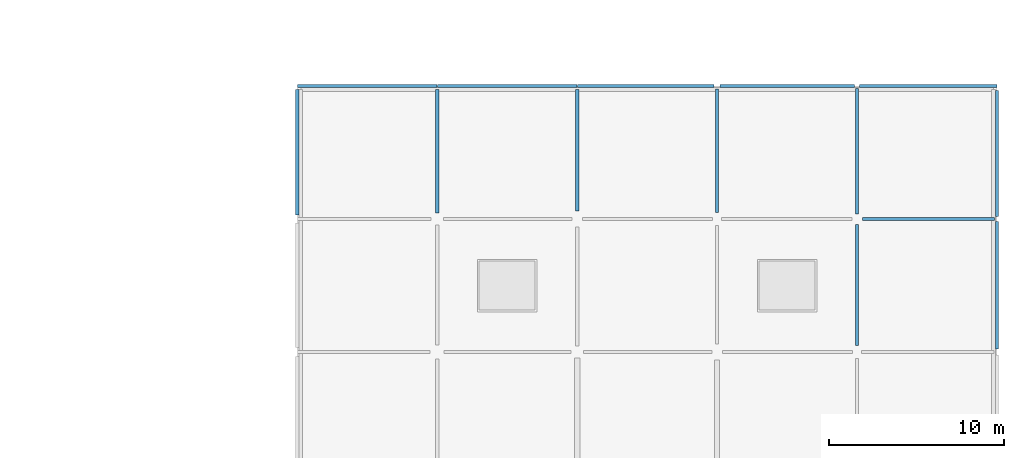
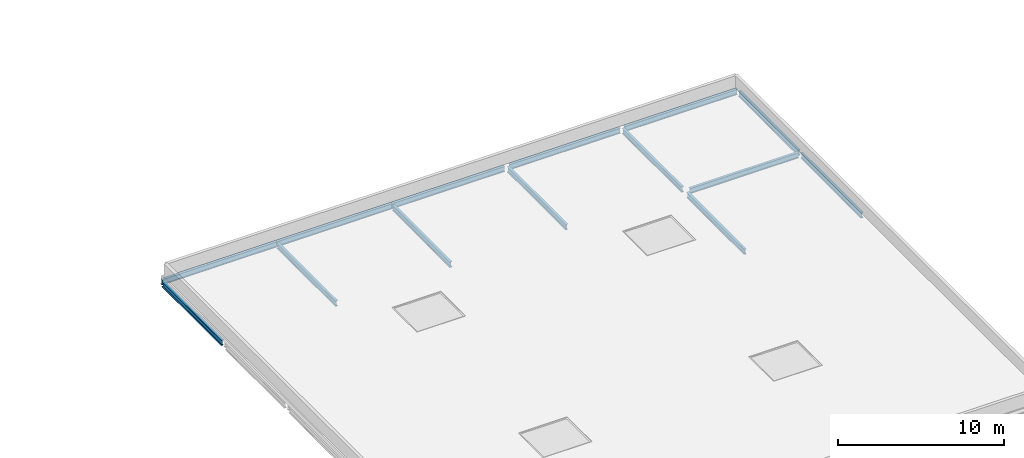
# One storey, part 14 of 46: 14 beams.
"""IFC4 building model written with IfcOpenShell, lengths in metres."""

from ifc_helpers import new_model, si_unit, direction, frame, origin, origin_2d, place, context, subcontext, project, spatial, i_section, extrude, material, material_profile, profile_set, type_object, element, save


model = new_model("IFC4")

# Units and contexts
model_context = context("Model", 3, precision=1e-05, world=origin(), true_north=direction((0.0, 1.0)))
body_context = subcontext(model_context, "Body", "Model", "MODEL_VIEW")
ifc_project = project(units=[si_unit("LENGTHUNIT", "METRE"), si_unit("AREAUNIT", "SQUARE_METRE"), si_unit("VOLUMEUNIT", "CUBIC_METRE"), si_unit("PLANEANGLEUNIT", "RADIAN"), si_unit("MASSUNIT", "GRAM", prefix="KILO")], contexts=[model_context])

# Site, building, storey
site_placement = place(None, origin())
site = spatial("IfcSite", under=ifc_project, at=site_placement, CompositionType="ELEMENT")
building_placement = place(site_placement, origin())
building = spatial("IfcBuilding", under=site, at=building_placement, Name="Khelvaren Railside Concert Hall", CompositionType="ELEMENT")
storey_placement = place(building_placement, frame((0.0, 0.0, 19.800048828125)))
storey = spatial("IfcBuildingStorey", under=building, at=storey_placement, Name="L04", CompositionType="ELEMENT", Elevation=19.800048828125)

# Beams
ifc_material = material(Name="Steel S355", Category="steel")
ifc_material_profile = material_profile(ifc_material, i_section(OverallWidth=0.179931640625, OverallDepth=0.39990234375, WebThickness=0.008544921875, FlangeThickness=0.013427734375, FilletRadius=0.02099609375, at=origin_2d()), Name="IPE 400")
ifc_profile_set = profile_set([ifc_material_profile], Name="Steel S355")
beam_type = type_object("IfcBeamType", Name="BM29", PredefinedType="BEAM", material=ifc_profile_set)
beam_1_placement = place(storey_placement, frame((176.300048828125, 30.39990234375, -0.469970703125), z_axis=(1.0, 0.0, 0.0), x_axis=(0.0, 1.0, 0.0)))
element("IfcBeam", 1, at=beam_1_placement, inside=storey, type_object=beam_type, Name="V2 Roof Beam X (176-184)", PredefinedType="BEAM", context=body_context, shape_type="SweptSolid", body=[
    extrude(i_section(OverallWidth=0.179931640625, OverallDepth=0.39990234375, WebThickness=0.008544921875, FlangeThickness=0.013427734375, FilletRadius=0.02099609375, at=origin_2d()), origin(), (0.0, 0.0, 1.0), 7.56396484375),
])
for number, where, z_axis, x_axis, name in (
    (2, (144.010009765625, 38.0, -0.469970703125), (1.0, 0.0, 0.0), (0.0, 1.0, 0.0), "V2 Roof Beam X (144-152)"),
    (3, (152.010009765625, 38.0, -0.469970703125), (1.0, 0.0, 0.0), (0.0, 1.0, 0.0), "V2 Roof Beam X (152-160)"),
):
    element("IfcBeam", number, at=place(storey_placement, frame(where, z_axis=z_axis, x_axis=x_axis)), inside=storey, type_object=beam_type, Name=name, PredefinedType="BEAM", context=body_context, shape_type="SweptSolid", body=[
        extrude(i_section(OverallWidth=0.179931640625, OverallDepth=0.39990234375, WebThickness=0.008544921875, FlangeThickness=0.013427734375, FilletRadius=0.02099609375, at=origin_2d()), origin(), (0.0, 0.0, 1.0), 7.97998046875),
    ])
beam_2_placement = place(storey_placement, frame((160.010009765625, 38.0, -0.469970703125), z_axis=(1.0, 0.0, 0.0), x_axis=(0.0, 1.0, 0.0)))
element("IfcBeam", 4, at=beam_2_placement, inside=storey, type_object=beam_type, Name="V2 Roof Beam X (160-168)", PredefinedType="BEAM", context=body_context, shape_type="SweptSolid", body=[
    extrude(i_section(OverallWidth=0.179931640625, OverallDepth=0.39990234375, WebThickness=0.008544921875, FlangeThickness=0.013427734375, FilletRadius=0.02099609375, at=origin_2d()), origin(), (0.0, 0.0, 1.0), 7.8193359375),
])
beam_3_placement = place(storey_placement, frame((168.170654296875, 38.0, -0.469970703125), z_axis=(1.0, 0.0, 0.0), x_axis=(0.0, 1.0, 0.0)))
element("IfcBeam", 5, at=beam_3_placement, inside=storey, type_object=beam_type, Name="V2 Roof Beam X (168-176)", PredefinedType="BEAM", context=body_context, shape_type="SweptSolid", body=[
    extrude(i_section(OverallWidth=0.179931640625, OverallDepth=0.39990234375, WebThickness=0.008544921875, FlangeThickness=0.013427734375, FilletRadius=0.02099609375, at=origin_2d()), origin(), (0.0, 0.0, 1.0), 7.693359375),
])
beam_4_placement = place(storey_placement, frame((176.135986328125, 38.0, -0.469970703125), z_axis=(1.0, 0.0, 0.0), x_axis=(0.0, 1.0, 0.0)))
element("IfcBeam", 6, at=beam_4_placement, inside=storey, type_object=beam_type, Name="V2 Roof Beam X (176-184)", PredefinedType="BEAM", context=body_context, shape_type="SweptSolid", body=[
    extrude(i_section(OverallWidth=0.179931640625, OverallDepth=0.39990234375, WebThickness=0.008544921875, FlangeThickness=0.013427734375, FilletRadius=0.02099609375, at=origin_2d()), origin(), (0.0, 0.0, 1.0), 7.85400390625),
])
beam_5_placement = place(storey_placement, frame((144.0, 30.625, -0.469970703125), z_axis=(0.0, 1.0, 0.0), x_axis=(-1.0, 0.0, 0.0)))
element("IfcBeam", 7, at=beam_5_placement, inside=storey, type_object=beam_type, Name="V2 Roof Beam Y (30.4-38.0)", PredefinedType="BEAM", context=body_context, shape_type="SweptSolid", body=[
    extrude(i_section(OverallWidth=0.179931640625, OverallDepth=0.39990234375, WebThickness=0.008544921875, FlangeThickness=0.013427734375, FilletRadius=0.02099609375, at=origin_2d()), origin(), (0.0, 0.0, 1.0), 7.175048828125),
])
beam_6_placement = place(storey_placement, frame((152.0, 30.75, -0.469970703125), z_axis=(0.0, 1.0, 0.0), x_axis=(-1.0, 0.0, 0.0)))
element("IfcBeam", 8, at=beam_6_placement, inside=storey, type_object=beam_type, Name="V2 Roof Beam Y (30.4-38.0)", PredefinedType="BEAM", context=body_context, shape_type="SweptSolid", body=[
    extrude(i_section(OverallWidth=0.179931640625, OverallDepth=0.39990234375, WebThickness=0.008544921875, FlangeThickness=0.013427734375, FilletRadius=0.02099609375, at=origin_2d()), origin(), (0.0, 0.0, 1.0), 7.070068359375),
])
beam_7_placement = place(storey_placement, frame((160.0, 30.85009765625, -0.469970703125), z_axis=(0.0, 1.0, 0.0), x_axis=(-1.0, 0.0, 0.0)))
element("IfcBeam", 9, at=beam_7_placement, inside=storey, type_object=beam_type, Name="V2 Roof Beam Y (30.4-38.0)", PredefinedType="BEAM", context=body_context, shape_type="SweptSolid", body=[
    extrude(i_section(OverallWidth=0.179931640625, OverallDepth=0.39990234375, WebThickness=0.008544921875, FlangeThickness=0.013427734375, FilletRadius=0.02099609375, at=origin_2d()), origin(), (0.0, 0.0, 1.0), 6.954833984375),
])
beam_8_placement = place(storey_placement, frame((168.0, 30.77490234375, -0.469970703125), z_axis=(0.0, 1.0, 0.0), x_axis=(-1.0, 0.0, 0.0)))
element("IfcBeam", 10, at=beam_8_placement, inside=storey, type_object=beam_type, Name="V2 Roof Beam Y (30.4-38.0)", PredefinedType="BEAM", context=body_context, shape_type="SweptSolid", body=[
    extrude(i_section(OverallWidth=0.179931640625, OverallDepth=0.39990234375, WebThickness=0.008544921875, FlangeThickness=0.013427734375, FilletRadius=0.02099609375, at=origin_2d()), origin(), (0.0, 0.0, 1.0), 7.054443359375),
])
beam_9_placement = place(storey_placement, frame((176.0, 23.175048828125, -0.469970703125), z_axis=(0.0, 1.0, 0.0), x_axis=(-1.0, 0.0, 0.0)))
element("IfcBeam", 11, at=beam_9_placement, inside=storey, type_object=beam_type, Name="V2 Roof Beam Y (22.8-30.4)", PredefinedType="BEAM", context=body_context, shape_type="SweptSolid", body=[
    extrude(i_section(OverallWidth=0.179931640625, OverallDepth=0.39990234375, WebThickness=0.008544921875, FlangeThickness=0.013427734375, FilletRadius=0.02099609375, at=origin_2d()), origin(), (0.0, 0.0, 1.0), 6.925048828125),
])
beam_10_placement = place(storey_placement, frame((176.0, 30.699951171875, -0.469970703125), z_axis=(0.0, 1.0, 0.0), x_axis=(-1.0, 0.0, 0.0)))
element("IfcBeam", 12, at=beam_10_placement, inside=storey, type_object=beam_type, Name="V2 Roof Beam Y (30.4-38.0)", PredefinedType="BEAM", context=body_context, shape_type="SweptSolid", body=[
    extrude(i_section(OverallWidth=0.179931640625, OverallDepth=0.39990234375, WebThickness=0.008544921875, FlangeThickness=0.013427734375, FilletRadius=0.02099609375, at=origin_2d()), origin(), (0.0, 0.0, 1.0), 7.1640625),
])
beam_11_placement = place(storey_placement, frame((184.0, 22.970703125, -0.469970703125), z_axis=(0.0, 1.0, 0.0), x_axis=(-1.0, 0.0, 0.0)))
element("IfcBeam", 13, at=beam_11_placement, inside=storey, type_object=beam_type, Name="V2 Roof Beam Y (22.8-30.4)", PredefinedType="BEAM", context=body_context, shape_type="SweptSolid", body=[
    extrude(i_section(OverallWidth=0.179931640625, OverallDepth=0.39990234375, WebThickness=0.008544921875, FlangeThickness=0.013427734375, FilletRadius=0.02099609375, at=origin_2d()), origin(), (0.0, 0.0, 1.0), 7.293212890625),
])
beam_12_placement = place(storey_placement, frame((184.0, 30.535888671875, -0.469970703125), z_axis=(0.0, 1.0, 0.0), x_axis=(-1.0, 0.0, 0.0)))
element("IfcBeam", 14, at=beam_12_placement, inside=storey, type_object=beam_type, Name="V2 Roof Beam Y (30.4-38.0)", PredefinedType="BEAM", context=body_context, shape_type="SweptSolid", body=[
    extrude(i_section(OverallWidth=0.179931640625, OverallDepth=0.39990234375, WebThickness=0.008544921875, FlangeThickness=0.013427734375, FilletRadius=0.02099609375, at=origin_2d()), origin(), (0.0, 0.0, 1.0), 7.214111328125),
])

save(model, "model.ifc")
